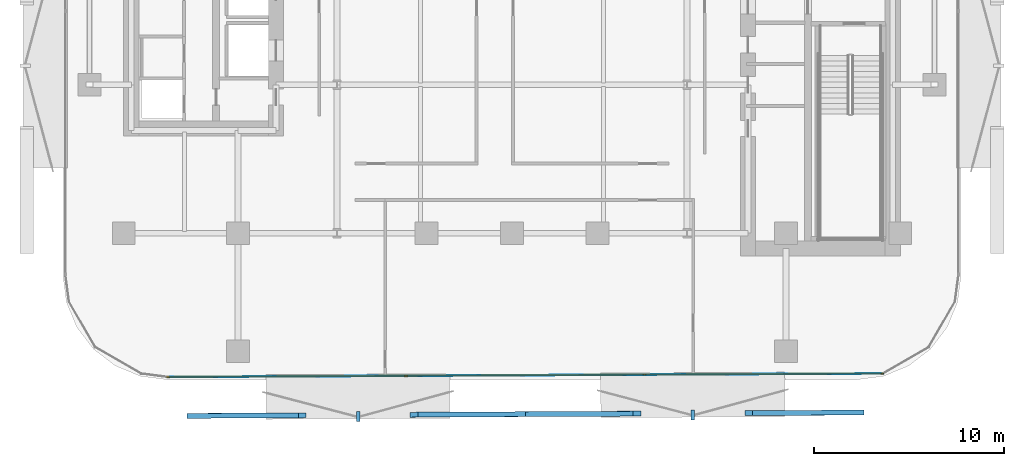
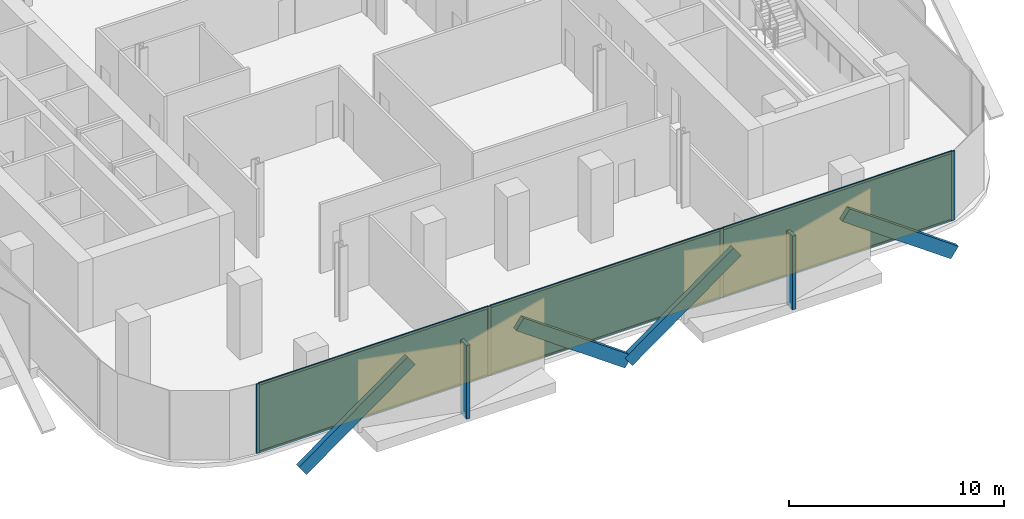
# One storey, part 7 of 15: 16 members, 3 plates, 1 curtain wall.
"""IFC4 building model written with IfcOpenShell, lengths in metres."""

import ifcopenshell
import ifcopenshell.guid

model = None  # the IFC model being written
_history = None  # IfcOwnerHistory: only IFC2X3 demands one
_inside = {}  # id of a spatial element -> (the spatial element, [elements in it])
_under = {}  # id of a project, library or spatial element -> (it, [spatial elements below it])
_declared = {}  # id of a project -> (the project, [libraries it declares])
_typed = {}  # id of a type object -> (the type object, [elements of that type])
_made_of = {}  # id of a material, layer set ... -> (it, [elements and type objects made of it])


def new_model(schema):
    """Start an empty IFC model of exactly this schema.

    Asked for "IFC4X3", IfcOpenShell would pick the latest addendum, in which some entities
    have other attributes; the version numbers below select the first issue.
    IFC2X3 requires an IfcOwnerHistory on every rooted entity: one is made here for all.
    """
    global model, _history
    if schema == "IFC4X3":
        model = ifcopenshell.file(schema_version=(4, 3, 0, 0))
    else:
        model = ifcopenshell.file(schema=schema)
    _inside.clear()
    _under.clear()
    _declared.clear()
    _typed.clear()
    _made_of.clear()
    _history = None
    if model.schema == "IFC2X3":
        org = make("IfcOrganization", Name="unknown")
        user = make(
            "IfcPersonAndOrganization",
            ThePerson=make("IfcPerson", FamilyName="unknown"),
            TheOrganization=org,
        )
        app = make(
            "IfcApplication",
            ApplicationDeveloper=org,
            Version="unknown",
            ApplicationFullName="unknown",
            ApplicationIdentifier="unknown",
        )
        _history = make(
            "IfcOwnerHistory",
            OwningUser=user,
            OwningApplication=app,
            ChangeAction="ADDED",
            CreationDate=0,
        )
    return model


def make(cls, **values):
    """One entity of the class cls with the attributes given. An attribute that is None is left unset."""
    return model.create_entity(
        cls, **{name: value for name, value in values.items() if value is not None}
    )


def rooted(cls, **values):
    """An entity with a GlobalId (a new one), such as an element, a storey or a relation."""
    return make(cls, GlobalId=ifcopenshell.guid.new(), OwnerHistory=_history, **values)


def si_unit(unit_type, name, prefix=None):
    """IfcSIUnit, for example si_unit("LENGTHUNIT", "METRE", prefix="MILLI")."""
    return make("IfcSIUnit", UnitType=unit_type, Prefix=prefix, Name=name)


def assignment(units):
    """IfcUnitAssignment: the units of a project."""
    return None if units is None else make("IfcUnitAssignment", Units=units)


def point(xyz):
    """IfcCartesianPoint."""
    return None if xyz is None else make("IfcCartesianPoint", Coordinates=xyz)


def direction(xyz):
    """IfcDirection."""
    return None if xyz is None else make("IfcDirection", DirectionRatios=xyz)


def frame(location, z_axis=None, x_axis=None):
    """IfcAxis2Placement3D, a coordinate frame: its origin and axes. An axis left out is left unset."""
    return make(
        "IfcAxis2Placement3D",
        Location=point(location),
        Axis=direction(z_axis),
        RefDirection=direction(x_axis),
    )


def frame_2d(location, x_axis=None):
    """IfcAxis2Placement2D, a coordinate frame in the plane: its origin and x axis."""
    return make(
        "IfcAxis2Placement2D", Location=point(location), RefDirection=direction(x_axis)
    )


def origin():
    """The frame at (0, 0, 0) with its axes left unset."""
    return frame((0.0, 0.0, 0.0))


def origin_2d():
    """The frame at (0, 0) in the plane with its x axis left unset."""
    return frame_2d((0.0, 0.0))


def place(relative_to, where):
    """IfcLocalPlacement: puts the frame where relative to a parent placement (None: the world)."""
    return make(
        "IfcLocalPlacement", PlacementRelTo=relative_to, RelativePlacement=where
    )


def context(
    kind, dimensions, precision=None, world=None, true_north=None, identifier=None
):
    """IfcGeometricRepresentationContext, for example the 3D "Model" context."""
    return make(
        "IfcGeometricRepresentationContext",
        ContextIdentifier=identifier,
        ContextType=kind,
        CoordinateSpaceDimension=dimensions,
        Precision=precision,
        WorldCoordinateSystem=world,
        TrueNorth=true_north,
    )


def subcontext(parent, identifier, kind, view, scale=None):
    """IfcGeometricRepresentationSubContext, for example "Body" below "Model"."""
    return make(
        "IfcGeometricRepresentationSubContext",
        ContextIdentifier=identifier,
        ContextType=kind,
        ParentContext=parent,
        TargetScale=scale,
        TargetView=view,
    )


def project(units=None, contexts=None):
    """IfcProject with its units and contexts."""
    return rooted(
        "IfcProject",
        Name="project",
        RepresentationContexts=contexts,
        UnitsInContext=assignment(units),
    )


def spatial(cls, under=None, at=None, **own):
    """A site, building, storey or space (cls), placed at a placement, below another one or the project."""
    s = rooted(cls, ObjectPlacement=at, **own)
    if under is not None:
        _under.setdefault(under.id(), (under, []))[1].append(s)
    return s


def profile(cls, at=None, kind="AREA", **sizes):
    """A parametric profile (cls). Its sizes go by their IFC names, for example OverallWidth=200.0."""
    return make(cls, ProfileType=kind, Position=at, **sizes)


def rectangle(**sizes):
    """IfcRectangleProfileDef."""
    return profile("IfcRectangleProfileDef", **sizes)


def extrude(swept, where, along, depth):
    """IfcExtrudedAreaSolid: the profile swept, set in the frame where, extruded along a direction by depth."""
    return make(
        "IfcExtrudedAreaSolid",
        SweptArea=swept,
        Position=where,
        ExtrudedDirection=direction(along),
        Depth=depth,
    )


def shape(context_of_items, identifier, shape_type, items):
    """IfcShapeRepresentation: the items that make up one representation, for example the "Body"."""
    return make(
        "IfcShapeRepresentation",
        ContextOfItems=context_of_items,
        RepresentationIdentifier=identifier,
        RepresentationType=shape_type,
        Items=items,
    )


def material(Name=None, Category=None):
    """IfcMaterial."""
    return make("IfcMaterial", Name=Name, Category=Category)


def layer(
    of_material, thickness, ventilated=None, Name=None, Category=None, Priority=None
):
    """IfcMaterialLayer: one layer of a wall or slab, of a material (None: an air gap)."""
    return make(
        "IfcMaterialLayer",
        Material=of_material,
        LayerThickness=thickness,
        IsVentilated=ventilated,
        Name=Name,
        Category=Category,
        Priority=Priority,
    )


def layer_set(layers, Name=None):
    """IfcMaterialLayerSet."""
    return make("IfcMaterialLayerSet", MaterialLayers=layers, LayerSetName=Name)


def material_profile(
    of_material, cross_section, Name=None, Category=None, Priority=None
):
    """IfcMaterialProfile: a cross section and its material."""
    return make(
        "IfcMaterialProfile",
        Name=Name,
        Material=of_material,
        Profile=cross_section,
        Priority=Priority,
        Category=Category,
    )


def profile_set(profiles, Name=None, composite=None):
    """IfcMaterialProfileSet."""
    return make(
        "IfcMaterialProfileSet",
        Name=Name,
        MaterialProfiles=profiles,
        CompositeProfile=composite,
    )


def made_of(thing, what):
    """Note that an element or type object is made of a material, layer set ...; save() writes the relation."""
    if what is not None:
        _made_of.setdefault(what.id(), (what, []))[1].append(thing)
    return thing


def type_object(cls, material=None, **own):
    """A type object (cls), such as IfcWallType, which elements share."""
    return made_of(rooted(cls, **own), material)


def element(
    cls,
    number,
    at=None,
    inside=None,
    cuts=None,
    type_object=None,
    material=None,
    context=None,
    identifier="Body",
    shape_type=None,
    held_by="IfcProductDefinitionShape",
    body=None,
    shapes=None,
    **own,
):
    """One element of the class cls, such as IfcWall. Its Tag is "e" and its number.

    at: its placement. inside: the storey or other place that contains it. cuts: it is an
    opening in that element (IfcRelVoidsElement). A single representation is given by context,
    identifier, shape_type and body (its items); several are given by shapes. held_by: the class
    of the entity that holds the representations. save() writes the other relations.
    """
    e = rooted(cls, Tag="e%d" % number, ObjectPlacement=at, **own)
    if body is not None:
        shapes = [shape(context, identifier, shape_type, body)]
    if shapes is not None:
        e.Representation = make(held_by, Representations=shapes)
    if inside is not None:
        _inside.setdefault(inside.id(), (inside, []))[1].append(e)
    if cuts is not None:
        rooted(
            "IfcRelVoidsElement", RelatingBuildingElement=cuts, RelatedOpeningElement=e
        )
    if type_object is not None:
        _typed.setdefault(type_object.id(), (type_object, []))[1].append(e)
    return made_of(e, material)


def aggregate(whole, parts):
    """IfcRelAggregates: a whole, such as a stair, and the parts it consists of."""
    return rooted("IfcRelAggregates", RelatingObject=whole, RelatedObjects=parts)


def save(model, path):
    """Write the relations noted so far, then the file.

    IfcRelAggregates (storeys below a building ...), IfcRelContainedInSpatialStructure (elements
    in a storey), IfcRelDefinesByType, IfcRelAssociatesMaterial and IfcRelDeclares: one each for
    every whole, place, type object, material and project.
    """
    for whole, parts in _under.values():
        aggregate(whole, parts)
    for where, things in _inside.values():
        rooted(
            "IfcRelContainedInSpatialStructure",
            RelatedElements=things,
            RelatingStructure=where,
        )
    for kind, things in _typed.values():
        rooted("IfcRelDefinesByType", RelatedObjects=things, RelatingType=kind)
    for what, things in _made_of.values():
        rooted("IfcRelAssociatesMaterial", RelatedObjects=things, RelatingMaterial=what)
    for by, libraries in _declared.values():
        rooted("IfcRelDeclares", RelatingContext=by, RelatedDefinitions=libraries)
    model.write(path)


model = new_model("IFC4")

# Units and contexts
model_context = context("Model", 3, precision=1e-05, world=origin(), true_north=direction((0.0, 1.0)))
body_context = subcontext(model_context, "Body", "Model", "MODEL_VIEW")
ifc_project = project(units=[si_unit("LENGTHUNIT", "METRE"), si_unit("AREAUNIT", "SQUARE_METRE"), si_unit("VOLUMEUNIT", "CUBIC_METRE"), si_unit("PLANEANGLEUNIT", "RADIAN"), si_unit("MASSUNIT", "GRAM", prefix="KILO")], contexts=[model_context])

# Member
ifc_material_1 = material(Name="Anodised Bronze Aluminium 6063-T6", Category="aluminium")
ifc_material_profile_1 = material_profile(ifc_material_1, rectangle(XDim=0.260009765625, YDim=0.699951171875, at=origin_2d()))
ifc_profile_set_1 = profile_set([ifc_material_profile_1], Name="Anodised Bronze Aluminium 6063-T6")
member_type_1 = type_object("IfcMemberType", Name="Bronze Diamond Solar-Screen Lattice Rib BDL-700", PredefinedType="MULLION", material=ifc_profile_set_1)
site_placement = place(None, origin())
building_placement = place(site_placement, origin())
storey_placement = place(building_placement, frame((0.0, 0.0, 131.0)))
member_1_placement = place(storey_placement, frame((18.297119140625, -28.02197265625, -0.1298828125), z_axis=(-0.812934840677, -0.003994433113, 0.582340956243), x_axis=(-0.007759286777, 0.999962004517, -0.003972781225)))
member_1 = element("IfcMember", 1, at=member_1_placement, type_object=member_type_1, Name="L30 Bronze Diamond Solar Screen Lattice Rib 185A", PredefinedType="MULLION", context=body_context, shape_type="SweptSolid", body=[
    extrude(rectangle(XDim=0.260009765625, YDim=0.699951171875, at=origin_2d()), origin(), (0.0, 0.0, 1.0), 7.212158203125),
])

member_2_placement = place(storey_placement, frame((0.7080078125, -28.108154296875, -0.1298828125), z_axis=(0.812934840677, 0.003994433113, 0.582340956243), x_axis=(0.007759286777, -0.999962004517, -0.003972781225)))
member_2 = element("IfcMember", 2, at=member_2_placement, type_object=member_type_1, Name="L30 Bronze Diamond Solar Screen Lattice Rib 185B", PredefinedType="MULLION", context=body_context, shape_type="SweptSolid", body=[
    extrude(rectangle(XDim=0.260009765625, YDim=0.699951171875, at=origin_2d()), origin(), (0.0, 0.0, 1.0), 7.212158203125),
])

member_3_placement = place(storey_placement, frame((0.7080078125, -28.108154296875, -0.1298828125), z_axis=(-0.812923469496, -0.00396069151, 0.582357060287), x_axis=(-0.007717930273, 0.999962324795, -0.003972724849)))
member_3 = element("IfcMember", 3, at=member_3_placement, type_object=member_type_1, Name="L30 Bronze Diamond Solar Screen Lattice Rib 186A", PredefinedType="MULLION", context=body_context, shape_type="SweptSolid", body=[
    extrude(rectangle(XDim=0.260009765625, YDim=0.699951171875, at=origin_2d()), origin(), (0.0, 0.0, 1.0), 7.2119140625),
])

member_4_placement = place(storey_placement, frame((-16.880859375, -28.194091796875, -0.1298828125), z_axis=(0.812934840677, 0.003994433113, 0.582340956243), x_axis=(0.007759286777, -0.999962004517, -0.003972781225)))
member_4 = element("IfcMember", 4, at=member_4_placement, type_object=member_type_1, Name="L30 Bronze Diamond Solar Screen Lattice Rib 186B", PredefinedType="MULLION", context=body_context, shape_type="SweptSolid", body=[
    extrude(rectangle(XDim=0.260009765625, YDim=0.699951171875, at=origin_2d()), origin(), (0.0, 0.0, 1.0), 7.212158203125),
])

ifc_material_2 = material(Name="Anodised Bronze Aluminium 6063-T6", Category="aluminium")
ifc_material_profile_2 = material_profile(ifc_material_2, rectangle(XDim=0.179931640625, YDim=0.5400390625, at=origin_2d()))
ifc_profile_set_2 = profile_set([ifc_material_profile_2], Name="Anodised Bronze Aluminium 6063-T6")
member_type_2 = type_object("IfcMemberType", Name="Bronze Solar-Screen Vertical Fold Fin BSF-540", PredefinedType="MULLION", material=ifc_profile_set_2)
member_5_placement = place(storey_placement, frame((9.5029296875, -28.14501953125, -0.1298828125), z_axis=(0.0, 0.0, 1.0), x_axis=(-0.999988059021, -0.004886902454, 0.0)))
member_5 = element("IfcMember", 5, at=member_5_placement, type_object=member_type_2, Name="L30 Bronze Solar Screen Vertical Fin 185", PredefinedType="MULLION", context=body_context, shape_type="SweptSolid", body=[
    extrude(rectangle(XDim=0.179931640625, YDim=0.5400390625, at=origin_2d()), origin(), (0.0, 0.0, 1.0), 4.199951171875),
])

member_6_placement = place(storey_placement, frame((-8.0859375, -28.231201171875, -0.1298828125), z_axis=(0.0, 0.0, 1.0), x_axis=(-0.999988059021, -0.004886902454, 0.0)))
member_6 = element("IfcMember", 6, at=member_6_placement, type_object=member_type_2, Name="L30 Bronze Solar Screen Vertical Fin 186", PredefinedType="MULLION", context=body_context, shape_type="SweptSolid", body=[
    extrude(rectangle(XDim=0.179931640625, YDim=0.5400390625, at=origin_2d()), origin(), (0.0, 0.0, 1.0), 4.199951171875),
])

ifc_material_3 = material(Name="Anodised Bronze Aluminium 6063-T6", Category="aluminium")
ifc_material_profile_3 = material_profile(ifc_material_3, rectangle(XDim=0.06494140625, YDim=0.175048828125, at=origin_2d()))
ifc_profile_set_3 = profile_set([ifc_material_profile_3], Name="Anodised Bronze Aluminium 6063-T6")
member_type_3 = type_object("IfcMemberType", Name="CW-Z2 Mullion 65x175", PredefinedType="MULLION", material=ifc_profile_set_3)
member_7_placement = place(storey_placement, frame((19.45458984375, -25.976318359375, 0.0), z_axis=(0.0, 0.0, 1.0), x_axis=(0.004891127252, -0.999988038366, 0.0)))
member_7 = element("IfcMember", 7, at=member_7_placement, type_object=member_type_3, Name="CW-Z2 mullion 1", PredefinedType="MULLION", context=body_context, shape_type="SweptSolid", body=[
    extrude(rectangle(XDim=0.06494140625, YDim=0.175048828125, at=origin_2d()), origin(), (0.0, 0.0, 1.0), 3.93994140625),
])

member_8_placement = place(storey_placement, frame((6.961181640625, -26.037353515625, 0.0), z_axis=(0.0, 0.0, 1.0), x_axis=(0.004891127252, -0.999988038366, 0.0)))
member_8 = element("IfcMember", 8, at=member_8_placement, type_object=member_type_3, Name="CW-Z2 mullion 2", PredefinedType="MULLION", context=body_context, shape_type="SweptSolid", body=[
    extrude(rectangle(XDim=0.06494140625, YDim=0.175048828125, at=origin_2d()), origin(), (0.0, 0.0, 1.0), 3.93994140625),
])

member_9_placement = place(storey_placement, frame((-5.56494140625, -26.0986328125, 0.0), z_axis=(0.0, 0.0, 1.0), x_axis=(0.004891127252, -0.999988038366, 0.0)))
member_9 = element("IfcMember", 9, at=member_9_placement, type_object=member_type_3, Name="CW-Z2 mullion 3", PredefinedType="MULLION", context=body_context, shape_type="SweptSolid", body=[
    extrude(rectangle(XDim=0.06494140625, YDim=0.175048828125, at=origin_2d()), origin(), (0.0, 0.0, 1.0), 3.93994140625),
])

member_10_placement = place(storey_placement, frame((-18.058349609375, -26.159912109375, 0.0), z_axis=(0.0, 0.0, 1.0), x_axis=(0.004891127252, -0.999988038366, 0.0)))
member_10 = element("IfcMember", 10, at=member_10_placement, type_object=member_type_3, Name="CW-Z2 mullion 4", PredefinedType="MULLION", context=body_context, shape_type="SweptSolid", body=[
    extrude(rectangle(XDim=0.06494140625, YDim=0.175048828125, at=origin_2d()), origin(), (0.0, 0.0, 1.0), 3.93994140625),
])

ifc_material_4 = material(Name="Anodised Bronze Aluminium 6063-T6", Category="aluminium")
ifc_material_profile_4 = material_profile(ifc_material_4, rectangle(XDim=0.06494140625, YDim=0.135009765625, at=origin_2d()))
ifc_profile_set_4 = profile_set([ifc_material_profile_4], Name="Anodised Bronze Aluminium 6063-T6")
member_type_4 = type_object("IfcMemberType", Name="CW-Z2 Transom 65x135", PredefinedType="USERDEFINED", material=ifc_profile_set_4)
member_11_placement = place(storey_placement, frame((19.422119140625, -25.9765625, 0.032470703125), z_axis=(-0.999988037942, -0.00489121381, 0.0), x_axis=(0.00489121381, -0.999988037942, 0.0)))
member_11 = element("IfcMember", 11, at=member_11_placement, type_object=member_type_4, Name="CW-Z2 transom 1.1", ObjectType="TRANSOM", PredefinedType="USERDEFINED", context=body_context, shape_type="SweptSolid", body=[
    extrude(rectangle(XDim=0.06494140625, YDim=0.135009765625, at=origin_2d()), origin(), (0.0, 0.0, 1.0), 12.4287109375),
])

member_12_placement = place(storey_placement, frame((19.422119140625, -25.9765625, 3.907470703125), z_axis=(-0.999988037942, -0.00489121381, 0.0), x_axis=(0.00489121381, -0.999988037942, 0.0)))
member_12 = element("IfcMember", 12, at=member_12_placement, type_object=member_type_4, Name="CW-Z2 transom 1.2", ObjectType="TRANSOM", PredefinedType="USERDEFINED", context=body_context, shape_type="SweptSolid", body=[
    extrude(rectangle(XDim=0.06494140625, YDim=0.135009765625, at=origin_2d()), origin(), (0.0, 0.0, 1.0), 12.4287109375),
])

member_13_placement = place(storey_placement, frame((6.928466796875, -26.03759765625, 0.032470703125), z_axis=(-0.99998800443, -0.004898060367, 0.0), x_axis=(0.004898060367, -0.99998800443, 0.0)))
member_13 = element("IfcMember", 13, at=member_13_placement, type_object=member_type_4, Name="CW-Z2 transom 2.1", ObjectType="TRANSOM", PredefinedType="USERDEFINED", context=body_context, shape_type="SweptSolid", body=[
    extrude(rectangle(XDim=0.06494140625, YDim=0.135009765625, at=origin_2d()), origin(), (0.0, 0.0, 1.0), 12.461181640625),
])

member_14_placement = place(storey_placement, frame((6.928466796875, -26.03759765625, 3.907470703125), z_axis=(-0.99998800443, -0.004898060367, 0.0), x_axis=(0.004898060367, -0.99998800443, 0.0)))
member_14 = element("IfcMember", 14, at=member_14_placement, type_object=member_type_4, Name="CW-Z2 transom 2.2", ObjectType="TRANSOM", PredefinedType="USERDEFINED", context=body_context, shape_type="SweptSolid", body=[
    extrude(rectangle(XDim=0.06494140625, YDim=0.135009765625, at=origin_2d()), origin(), (0.0, 0.0, 1.0), 12.461181640625),
])

member_15_placement = place(storey_placement, frame((-5.597412109375, -26.098876953125, 0.032470703125), z_axis=(-0.999988037942, -0.00489121381, 0.0), x_axis=(0.00489121381, -0.999988037942, 0.0)))
member_15 = element("IfcMember", 15, at=member_15_placement, type_object=member_type_4, Name="CW-Z2 transom 3.1", ObjectType="TRANSOM", PredefinedType="USERDEFINED", context=body_context, shape_type="SweptSolid", body=[
    extrude(rectangle(XDim=0.06494140625, YDim=0.135009765625, at=origin_2d()), origin(), (0.0, 0.0, 1.0), 12.4287109375),
])

member_16_placement = place(storey_placement, frame((-5.597412109375, -26.098876953125, 3.907470703125), z_axis=(-0.999988037942, -0.00489121381, 0.0), x_axis=(0.00489121381, -0.999988037942, 0.0)))
member_16 = element("IfcMember", 16, at=member_16_placement, type_object=member_type_4, Name="CW-Z2 transom 3.2", ObjectType="TRANSOM", PredefinedType="USERDEFINED", context=body_context, shape_type="SweptSolid", body=[
    extrude(rectangle(XDim=0.06494140625, YDim=0.135009765625, at=origin_2d()), origin(), (0.0, 0.0, 1.0), 12.4287109375),
])

# Plate
ifc_material_5 = material(Name="Low-E Solar Control Laminated Glass", Category="glass")
ifc_layer_1 = layer(ifc_material_5, 0.028076171875, Name="Low-E Solar Control Laminated Glass")
ifc_layer_set_1 = layer_set([ifc_layer_1], Name="Low-E Solar Control Laminated Glass")
plate_type = type_object("IfcPlateType", Name="CW-Z2 Low-E Double Glazed Panel 28mm", PredefinedType="CURTAIN_PANEL", material=ifc_layer_set_1)
plate_1_placement = place(storey_placement, frame((13.207763671875, -26.0068359375, 0.06494140625), z_axis=(0.0, 0.0, 1.0), x_axis=(-0.999988038366, -0.004891127252, 0.0)))
plate_1 = element("IfcPlate", 17, at=plate_1_placement, type_object=plate_type, Name="CW-Z2 panel 1.1", PredefinedType="CURTAIN_PANEL", context=body_context, shape_type="SweptSolid", body=[
    extrude(rectangle(XDim=12.428466796875, YDim=0.028076171875, at=origin_2d()), origin(), (0.0, 0.0, 1.0), 3.81005859375),
])

plate_2_placement = place(storey_placement, frame((0.697998046875, -26.068115234375, 0.06494140625), z_axis=(0.0, 0.0, 1.0), x_axis=(-0.999988038366, -0.004891127252, 0.0)))
plate_2 = element("IfcPlate", 18, at=plate_2_placement, type_object=plate_type, Name="CW-Z2 panel 2.1", PredefinedType="CURTAIN_PANEL", context=body_context, shape_type="SweptSolid", body=[
    extrude(rectangle(XDim=12.461181640625, YDim=0.028076171875, at=origin_2d()), origin(), (0.0, 0.0, 1.0), 3.81005859375),
])

plate_3_placement = place(storey_placement, frame((-11.8115234375, -26.12939453125, 0.06494140625), z_axis=(0.0, 0.0, 1.0), x_axis=(-0.999988038366, -0.004891127252, 0.0)))
plate_3 = element("IfcPlate", 19, at=plate_3_placement, type_object=plate_type, Name="CW-Z2 panel 3.1", PredefinedType="CURTAIN_PANEL", context=body_context, shape_type="SweptSolid", body=[
    extrude(rectangle(XDim=12.428466796875, YDim=0.028076171875, at=origin_2d()), origin(), (0.0, 0.0, 1.0), 3.81005859375),
])

# Site, building, storey
site = spatial("IfcSite", under=ifc_project, at=site_placement, CompositionType="ELEMENT")
building = spatial("IfcBuilding", under=site, at=building_placement, Name="Khairoan Windgate Tower", CompositionType="ELEMENT")
storey = spatial("IfcBuildingStorey", under=building, at=storey_placement, Name="L30", CompositionType="ELEMENT", Elevation=131.0)

# Curtain wall
ifc_material_6 = material(Name="Anodised Bronze Aluminium 6063-T6", Category="aluminium")
ifc_layer_2 = layer(ifc_material_6, 0.175048828125, Name="Anodised Bronze Aluminium 6063-T6")
ifc_layer_set_2 = layer_set([ifc_layer_2], Name="Anodised Bronze Aluminium 6063-T6")
curtain_wall_type = type_object("IfcCurtainWallType", Name="Mid-Rise Office Unitised Curtain Wall CW-Z2", PredefinedType="NOTDEFINED", material=ifc_layer_set_2)
curtain_wall_placement = place(storey_placement, frame((19.487060546875, -25.976318359375, 0.0), z_axis=(0.0, 0.0, 1.0), x_axis=(-0.999988065247, -0.004885628318, 0.0)))
curtain_wall = element("IfcCurtainWall", 20, at=curtain_wall_placement, inside=storey, type_object=curtain_wall_type, Name="L30 Unitised Curtain Wall 1", PredefinedType="NOTDEFINED", context=body_context, shape_type="SweptSolid", body=[
    extrude(rectangle(XDim=37.578369140625, YDim=0.010009765625, at=frame_2d((18.7890625, 0.0))), origin(), (0.0, 0.0, 1.0), 3.93994140625),
])

aggregate(curtain_wall, [member_7, member_8, member_9, member_10, member_11, member_12, plate_1, member_13, member_14, plate_2, member_15, member_16, plate_3, member_1, member_2, member_5, member_3, member_4, member_6])

save(model, "model.ifc")
